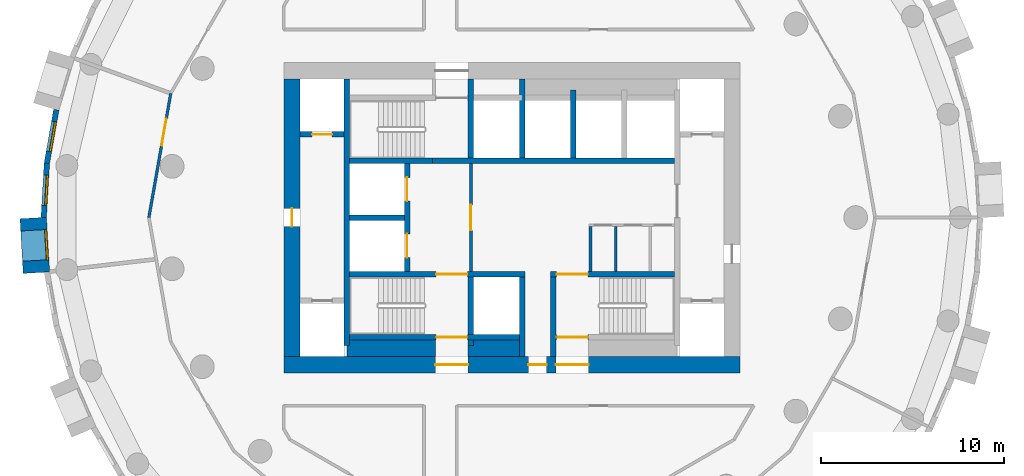
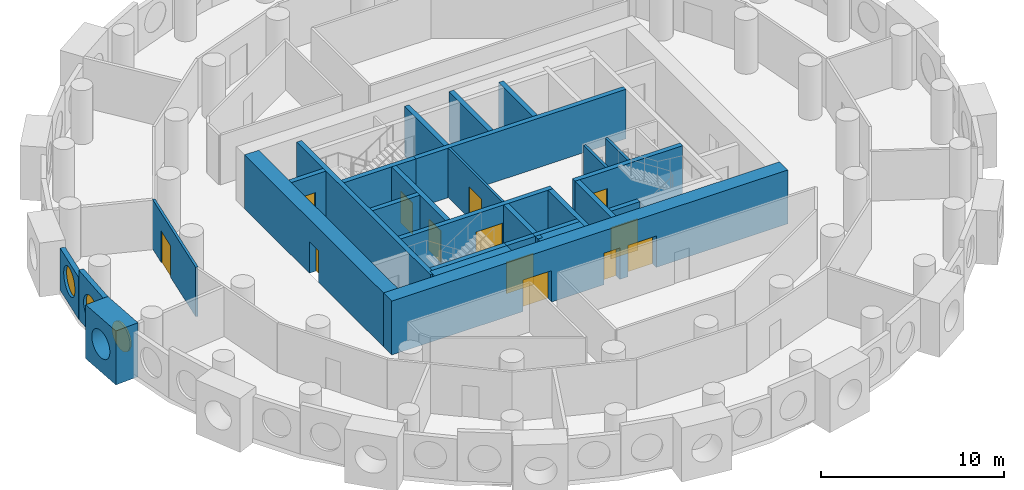
# One storey, part 3 of 9: 29 walls, 13 doors, 3 windows, 16 openings.
"""IFC4 building model written with IfcOpenShell, lengths in metres."""

from ifc_helpers import new_model, si_unit, direction, frame, frame_2d, origin, origin_2d, place, context, subcontext, project, spatial, rectangle, circle, extrude, material, layer, layer_set, type_object, element, fill, save


model = new_model("IFC4")

# Units and contexts
model_context = context("Model", 3, precision=1e-05, world=origin(), true_north=direction((0.0, 1.0)))
body_context = subcontext(model_context, "Body", "Model", "MODEL_VIEW")
ifc_project = project(units=[si_unit("LENGTHUNIT", "METRE"), si_unit("AREAUNIT", "SQUARE_METRE"), si_unit("VOLUMEUNIT", "CUBIC_METRE"), si_unit("PLANEANGLEUNIT", "RADIAN"), si_unit("MASSUNIT", "GRAM", prefix="KILO")], contexts=[model_context])

# Site, building, storey
site_placement = place(None, origin())
site = spatial("IfcSite", under=ifc_project, at=site_placement, CompositionType="ELEMENT")
building_placement = place(site_placement, origin())
building = spatial("IfcBuilding", under=site, at=building_placement, Name="Tracery Tower", CompositionType="ELEMENT")
storey_placement = place(building_placement, frame((0.0, 0.0, 154.800048828125)))
storey = spatial("IfcBuildingStorey", under=building, at=storey_placement, Name="L39", CompositionType="ELEMENT", Elevation=154.800048828125)

# Wall, opening, door
ifc_material_1 = material(Name="Plasterboard on steel studs", Category="steel")
ifc_layer_1 = layer(ifc_material_1, 0.14990234375)
ifc_layer_set_1 = layer_set([ifc_layer_1], Name="Core lobby partition 150")
wall_type_1 = type_object("IfcWallType", Name="Core lobby partition 150", PredefinedType="SOLIDWALL", material=ifc_layer_set_1)
wall_1_placement = place(storey_placement, frame((-2.25, -2.949951171875, 0.0), z_axis=(0.0, 0.0, 1.0), x_axis=(0.0, 1.0, 0.0)))
wall_1 = element("IfcWall", 1, at=wall_1_placement, inside=storey, type_object=wall_type_1, Name="L39 FF lobby E", PredefinedType="SOLIDWALL", context=body_context, shape_type="SweptSolid", body=[
    extrude(rectangle(XDim=5.89990234375, YDim=0.14990234375, at=frame_2d((2.949951171875, 0.0))), origin(), (0.0, 0.0, 1.0), 3.300048828125),
])
opening_1_placement = place(wall_1_placement, frame((2.25, 0.0, 0.0)))
opening_1 = element("IfcOpeningElement", 2, at=opening_1_placement, cuts=wall_1, Name="Opening KD8", PredefinedType="OPENING", context=body_context, shape_type="SweptSolid", body=[
    extrude(rectangle(XDim=1.39990234375, YDim=2.10009765625, at=frame_2d((0.699951171875, 1.050048828125))), frame((0.0, 0.074951171875, 0.0), z_axis=(0.0, -1.0, 0.0), x_axis=(1.0, 0.0, 0.0)), (0.0, 0.0, 1.0), 0.14990234375),
])
ifc_material_2 = material(Name="Steel fire door", Category="steel")
door_type_1 = type_object("IfcDoorType", Name="Core lobby door 1400 double", OperationType="NOTDEFINED", PredefinedType="DOOR", material=ifc_material_2)
door_1_placement = place(opening_1_placement, origin())
door_1 = element("IfcDoor", 3, at=door_1_placement, inside=storey, type_object=door_type_1, Name="Fire-fighting lobby door", OperationType="DOUBLE_DOOR_SINGLE_SWING", OverallHeight=2.10009765625, OverallWidth=1.39990234375, PredefinedType="DOOR", context=body_context, shape_type="SweptSolid", body=[
    extrude(rectangle(XDim=1.39990234375, YDim=2.10009765625, at=frame_2d((0.699951171875, 1.050048828125))), frame((0.0, 0.02490234375, 0.0), z_axis=(0.0, -1.0, 0.0), x_axis=(1.0, 0.0, 0.0)), (0.0, 0.0, 1.0), 0.050048828125),
])
fill(opening_1, door_1)

# Walls
ifc_material_3 = material(Name="Plasterboard on steel studs", Category="steel")
ifc_layer_2 = layer(ifc_material_3, 0.14990234375)
ifc_layer_set_2 = layer_set([ifc_layer_2], Name="Core room partition 150")
wall_type_2 = type_object("IfcWallType", Name="Core room partition 150", PredefinedType="SOLIDWALL", material=ifc_layer_set_2)
for number, where, z_axis, x_axis, name in (
    (4, (4.300048828125, -2.949951171875, 0.0), (0.0, 0.0, 1.0), (0.0, 1.0, 0.0), "L39 slot W"),
    (5, (5.675048828125, -2.949951171875, 0.0), (0.0, 0.0, 1.0), (0.0, 1.0, 0.0), "L39 slot sep 1"),
):
    element("IfcWall", number, at=place(storey_placement, frame(where, z_axis=z_axis, x_axis=x_axis)), inside=storey, type_object=wall_type_2, Name=name, PredefinedType="SOLIDWALL", context=body_context, shape_type="SweptSolid", body=[
        extrude(rectangle(XDim=2.449951171875, YDim=0.14990234375, at=frame_2d((1.22509765625, 0.0))), origin(), (0.0, 0.0, 1.0), 3.300048828125),
    ])
ifc_material_4 = material(Name="Concrete C50/60", Category="concrete")
ifc_layer_3 = layer(ifc_material_4, 0.89990234375)
ifc_layer_set_3 = layer_set([ifc_layer_3], Name="Core strip wall 900 C50")
wall_type_3 = type_object("IfcWallType", Name="Core strip wall 900 C50", PredefinedType="SOLIDWALL", material=ifc_layer_set_3)
wall_2_placement = place(storey_placement, frame((-9.050048828125, -7.14990234375, 0.0), z_axis=(0.0, 0.0, 1.0), x_axis=(1.0, 0.0, 0.0)))
element("IfcWall", 6, at=wall_2_placement, inside=storey, type_object=wall_type_3, Name="L39 F thick S W", PredefinedType="SOLIDWALL", context=body_context, shape_type="SweptSolid", body=[
    extrude(rectangle(XDim=4.85009765625, YDim=0.89990234375, at=frame_2d((2.425048828125, 0.0))), origin(), (0.0, 0.0, 1.0), 3.300048828125),
])
wall_3_placement = place(storey_placement, frame((-2.39990234375, -7.14990234375, 0.0), z_axis=(0.0, 0.0, 1.0), x_axis=(1.0, 0.0, 0.0)))
element("IfcWall", 7, at=wall_3_placement, inside=storey, type_object=wall_type_3, Name="L39 F thick S mid", PredefinedType="SOLIDWALL", context=body_context, shape_type="SweptSolid", body=[
    extrude(rectangle(XDim=2.7998046875, YDim=0.89990234375, at=frame_2d((1.39990234375, 0.0))), origin(), (0.0, 0.0, 1.0), 3.300048828125),
])

# Wall, openings, doors
ifc_material_5 = material(Name="Concrete C50/60", Category="concrete")
ifc_layer_4 = layer(ifc_material_5, 0.89990234375)
ifc_layer_set_4 = layer_set([ifc_layer_4], Name="Core wall 900 C50")
wall_type_4 = type_object("IfcWallType", Name="Core wall 900 C50", PredefinedType="SOLIDWALL", material=ifc_layer_set_4)
wall_4_placement = place(storey_placement, frame((-12.5, -8.050048828125, 0.0), z_axis=(0.0, 0.0, 1.0), x_axis=(1.0, 0.0, 0.0)))
wall_4 = element("IfcWall", 8, at=wall_4_placement, inside=storey, type_object=wall_type_4, Name="L39 outer S", PredefinedType="SOLIDWALL", context=body_context, shape_type="SweptSolid", body=[
    extrude(rectangle(XDim=25.0, YDim=0.89990234375, at=frame_2d((12.5, 0.0))), origin(), (0.0, 0.0, 1.0), 3.599853515625),
])
opening_2_placement = place(wall_4_placement, frame((13.39990234375, 0.0, 0.0)))
opening_2 = element("IfcOpeningElement", 9, at=opening_2_placement, cuts=wall_4, Name="Opening KD16", PredefinedType="OPENING", context=body_context, shape_type="SweptSolid", body=[
    extrude(rectangle(XDim=1.0, YDim=2.10009765625, at=frame_2d((0.5, 1.050048828125))), frame((0.0, 0.449951171875, 0.0), z_axis=(0.0, -1.0, 0.0), x_axis=(1.0, 0.0, 0.0)), (0.0, 0.0, 1.0), 0.89990234375),
])
opening_3_placement = place(wall_4_placement, frame((8.300048828125, 0.0, 0.0)))
opening_3 = element("IfcOpeningElement", 10, at=opening_3_placement, cuts=wall_4, Name="Opening KD13", PredefinedType="OPENING", context=body_context, shape_type="SweptSolid", body=[
    extrude(rectangle(XDim=1.800048828125, YDim=2.10009765625, at=frame_2d((0.89990234375, 1.050048828125))), frame((0.0, 0.449951171875, 0.0), z_axis=(0.0, -1.0, 0.0), x_axis=(1.0, 0.0, 0.0)), (0.0, 0.0, 1.0), 0.89990234375),
])
opening_4_placement = place(wall_4_placement, frame((14.89990234375, 0.0, 0.0)))
opening_4 = element("IfcOpeningElement", 11, at=opening_4_placement, cuts=wall_4, Name="Opening KD13", PredefinedType="OPENING", context=body_context, shape_type="SweptSolid", body=[
    extrude(rectangle(XDim=1.800048828125, YDim=2.10009765625, at=frame_2d((0.89990234375, 1.050048828125))), frame((0.0, 0.449951171875, 0.0), z_axis=(0.0, -1.0, 0.0), x_axis=(1.0, 0.0, 0.0)), (0.0, 0.0, 1.0), 0.89990234375),
])
ifc_material_6 = material(Name="Steel fire door", Category="steel")
door_type_2 = type_object("IfcDoorType", Name="Core exit door 1000", OperationType="NOTDEFINED", PredefinedType="DOOR", material=ifc_material_6)
door_2_placement = place(opening_2_placement, origin())
door_2 = element("IfcDoor", 12, at=door_2_placement, inside=storey, type_object=door_type_2, Name="Core exit door", OperationType="SINGLE_SWING_LEFT", OverallHeight=2.10009765625, OverallWidth=1.0, PredefinedType="DOOR", context=body_context, shape_type="SweptSolid", body=[
    extrude(rectangle(XDim=1.0, YDim=2.10009765625, at=frame_2d((0.5, 1.050048828125))), frame((0.0, 0.02490234375, 0.0), z_axis=(0.0, -1.0, 0.0), x_axis=(1.0, 0.0, 0.0)), (0.0, 0.0, 1.0), 0.050048828125),
])
fill(opening_2, door_2)
ifc_material_7 = material(Name="Steel fire door", Category="steel")
door_type_3 = type_object("IfcDoorType", Name="Core exit door 1800 double", OperationType="NOTDEFINED", PredefinedType="DOOR", material=ifc_material_7)
door_3_placement = place(opening_3_placement, origin())
door_3 = element("IfcDoor", 13, at=door_3_placement, inside=storey, type_object=door_type_3, Name="Core exit door", OperationType="DOUBLE_DOOR_SINGLE_SWING", OverallHeight=2.10009765625, OverallWidth=1.800048828125, PredefinedType="DOOR", context=body_context, shape_type="SweptSolid", body=[
    extrude(rectangle(XDim=1.800048828125, YDim=2.10009765625, at=frame_2d((0.89990234375, 1.050048828125))), frame((0.0, 0.02490234375, 0.0), z_axis=(0.0, -1.0, 0.0), x_axis=(1.0, 0.0, 0.0)), (0.0, 0.0, 1.0), 0.050048828125),
])
fill(opening_3, door_3)
door_4_placement = place(opening_4_placement, origin())
door_4 = element("IfcDoor", 14, at=door_4_placement, inside=storey, type_object=door_type_3, Name="Core exit door", OperationType="DOUBLE_DOOR_SINGLE_SWING", OverallHeight=2.10009765625, OverallWidth=1.800048828125, PredefinedType="DOOR", context=body_context, shape_type="SweptSolid", body=[
    extrude(rectangle(XDim=1.800048828125, YDim=2.10009765625, at=frame_2d((0.89990234375, 1.050048828125))), frame((0.0, 0.02490234375, 0.0), z_axis=(0.0, -1.0, 0.0), x_axis=(1.0, 0.0, 0.0)), (0.0, 0.0, 1.0), 0.050048828125),
])
fill(opening_4, door_4)

# Wall, opening, door
wall_5_placement = place(storey_placement, frame((-12.050048828125, -7.60009765625, 0.0), z_axis=(0.0, 0.0, 1.0), x_axis=(0.0, 1.0, 0.0)))
wall_5 = element("IfcWall", 15, at=wall_5_placement, inside=storey, type_object=wall_type_4, Name="L39 outer W", PredefinedType="SOLIDWALL", context=body_context, shape_type="SweptSolid", body=[
    extrude(rectangle(XDim=15.2001953125, YDim=0.89990234375, at=frame_2d((7.60009765625, 0.0))), origin(), (0.0, 0.0, 1.0), 3.599853515625),
])
opening_5_placement = place(wall_5_placement, frame((7.10009765625, 0.0, 0.0)))
opening_5 = element("IfcOpeningElement", 16, at=opening_5_placement, cuts=wall_5, Name="Opening KD18", PredefinedType="OPENING", context=body_context, shape_type="SweptSolid", body=[
    extrude(rectangle(XDim=1.0, YDim=2.10009765625, at=frame_2d((0.5, 1.050048828125))), frame((0.0, 0.449951171875, 0.0), z_axis=(0.0, -1.0, 0.0), x_axis=(1.0, 0.0, 0.0)), (0.0, 0.0, 1.0), 0.89990234375),
])
door_5_placement = place(opening_5_placement, origin())
door_5 = element("IfcDoor", 17, at=door_5_placement, inside=storey, type_object=door_type_2, Name="Core exit door", OperationType="DOUBLE_DOOR_SINGLE_SWING", OverallHeight=2.10009765625, OverallWidth=1.0, PredefinedType="DOOR", context=body_context, shape_type="SweptSolid", body=[
    extrude(rectangle(XDim=1.0, YDim=2.10009765625, at=frame_2d((0.5, 1.050048828125))), frame((0.0, 0.02490234375, 0.0), z_axis=(0.0, -1.0, 0.0), x_axis=(1.0, 0.0, 0.0)), (0.0, 0.0, 1.0), 0.050048828125),
])
fill(opening_5, door_5)

# Wall, opening, window
ifc_material_8 = material(Name="Precast concrete C50/60", Category="concrete")
ifc_layer_5 = layer(ifc_material_8, 1.449951171875)
ifc_layer_set_5 = layer_set([ifc_layer_5], Name="Deep-set bay unit 3000 x 3600, slab edge 300")
wall_type_5 = type_object("IfcWallType", Name="Deep-set bay unit 3000 x 3600, slab edge 300", PredefinedType="ELEMENTEDWALL", material=ifc_layer_set_5)
wall_6_placement = place(storey_placement, frame((-26.221923828125, -0.024658203125, -0.300048828125), z_axis=(0.0, 0.0, 1.0), x_axis=(0.058106596105, -0.998310384344, 0.0)))
wall_6 = element("IfcWall", 18, at=wall_6_placement, inside=storey, type_object=wall_type_5, Name="Deep-set bay unit 28 at L39", PredefinedType="ELEMENTEDWALL", context=body_context, shape_type="SweptSolid", body=[
    extrude(rectangle(XDim=3.0, YDim=1.449951171875, at=frame_2d((1.5, 0.0))), origin(), (0.0, 0.0, 1.0), 3.60009765625),
])
opening_6_placement = place(wall_6_placement, frame((1.5, 0.0, 1.85009765625)))
opening_6 = element("IfcOpeningElement", 19, at=opening_6_placement, cuts=wall_6, Name="Opening WN1", PredefinedType="OPENING", context=body_context, shape_type="SweptSolid", body=[
    extrude(circle(Radius=0.9000244140625, at=origin_2d()), frame((0.0, 0.73486328125, 0.0), z_axis=(0.0, -1.0, 0.0), x_axis=(1.0, 0.0, 0.0)), (0.0, 0.0, 1.0), 1.469970703125),
])
ifc_material_9 = material(Name="Aluminium frame with tinted double glazing", Category="aluminium")
window_type = type_object("IfcWindowType", Name="Round window 1800", PartitioningType="SINGLE_PANEL", PredefinedType="WINDOW", material=ifc_material_9)
window_1_placement = place(opening_6_placement, origin())
window_1 = element("IfcWindow", 20, at=window_1_placement, inside=storey, type_object=window_type, Name="Round window 28 at L39", OverallHeight=1.800048828125, OverallWidth=1.800048828125, PartitioningType="SINGLE_PANEL", PredefinedType="WINDOW", context=body_context, shape_type="SweptSolid", body=[
    extrude(circle(Radius=0.9000244140625, at=origin_2d()), frame((0.0, 0.69482421875, 0.0), z_axis=(0.0, -1.0, 0.0), x_axis=(1.0, 0.0, 0.0)), (0.0, 0.0, 1.0), 0.10009765625),
])
fill(opening_6, window_1)

ifc_material_10 = material(Name="Precast concrete C50/60", Category="concrete")
ifc_layer_6 = layer(ifc_material_10, 0.300048828125)
ifc_layer_set_6 = layer_set([ifc_layer_6], Name="Facade panel 3000 x 2800")
wall_type_6 = type_object("IfcWallType", Name="Facade panel 3000 x 2800", PredefinedType="SOLIDWALL", material=ifc_layer_set_6)
wall_7_placement = place(storey_placement, frame((-24.957763671875, 5.9052734375, 0.0), z_axis=(0.0, 0.0, 1.0), x_axis=(-0.173686952598, -0.984800915159, 0.0)))
wall_7 = element("IfcWall", 21, at=wall_7_placement, inside=storey, type_object=wall_type_6, Name="Facade panel 26 at L39", PredefinedType="SOLIDWALL", context=body_context, shape_type="SweptSolid", body=[
    extrude(rectangle(XDim=2.972900390625, YDim=0.300048828125, at=frame_2d((1.486328125, 0.0))), origin(), (0.0, 0.0, 1.0), 2.800048828125),
])
opening_7_placement = place(wall_7_placement, frame((1.486328125, 0.0, 1.5498046875)))
opening_7 = element("IfcOpeningElement", 22, at=opening_7_placement, cuts=wall_7, Name="Opening WN1", PredefinedType="OPENING", context=body_context, shape_type="SweptSolid", body=[
    extrude(circle(Radius=0.9000244140625, at=origin_2d()), frame((0.0, 0.159912109375, 0.0), z_axis=(0.0, -1.0, 0.0), x_axis=(1.0, 0.0, 0.0)), (0.0, 0.0, 1.0), 0.320068359375),
])
window_2_placement = place(opening_7_placement, origin())
window_2 = element("IfcWindow", 23, at=window_2_placement, inside=storey, type_object=window_type, Name="Round window 26 at L39", OverallHeight=1.800048828125, OverallWidth=1.800048828125, PartitioningType="SINGLE_PANEL", PredefinedType="WINDOW", context=body_context, shape_type="SweptSolid", body=[
    extrude(circle(Radius=0.9000244140625, at=origin_2d()), frame((0.0, 0.1201171875, 0.0), z_axis=(0.0, -1.0, 0.0), x_axis=(1.0, 0.0, 0.0)), (0.0, 0.0, 1.0), 0.10009765625),
])
fill(opening_7, window_2)

ifc_material_11 = material(Name="Precast concrete C50/60", Category="concrete")
ifc_layer_7 = layer(ifc_material_11, 0.300048828125)
ifc_layer_set_7 = layer_set([ifc_layer_7], Name="Facade panel 3000 x 3300")
wall_type_7 = type_object("IfcWallType", Name="Facade panel 3000 x 3300", PredefinedType="SOLIDWALL", material=ifc_layer_set_7)
wall_8_placement = place(storey_placement, frame((-25.47412109375, 2.9775390625, 0.0), z_axis=(0.0, 0.0, 1.0), x_axis=(-0.058139540521, -0.998308466271, 0.0)))
wall_8 = element("IfcWall", 24, at=wall_8_placement, inside=storey, type_object=wall_type_7, Name="Facade panel 27 at L39", PredefinedType="SOLIDWALL", context=body_context, shape_type="SweptSolid", body=[
    extrude(rectangle(XDim=2.97314453125, YDim=0.300048828125, at=frame_2d((1.486572265625, 0.0))), origin(), (0.0, 0.0, 1.0), 3.300048828125),
])
opening_8_placement = place(wall_8_placement, frame((1.486328125, 0.0, 1.5498046875)))
opening_8 = element("IfcOpeningElement", 25, at=opening_8_placement, cuts=wall_8, Name="Opening WN1", PredefinedType="OPENING", context=body_context, shape_type="SweptSolid", body=[
    extrude(circle(Radius=0.9000244140625, at=origin_2d()), frame((0.0, 0.159912109375, 0.0), z_axis=(0.0, -1.0, 0.0), x_axis=(1.0, 0.0, 0.0)), (0.0, 0.0, 1.0), 0.320068359375),
])
window_3_placement = place(opening_8_placement, origin())
window_3 = element("IfcWindow", 26, at=window_3_placement, inside=storey, type_object=window_type, Name="Round window 27 at L39", OverallHeight=1.800048828125, OverallWidth=1.800048828125, PartitioningType="SINGLE_PANEL", PredefinedType="WINDOW", context=body_context, shape_type="SweptSolid", body=[
    extrude(circle(Radius=0.9000244140625, at=origin_2d()), frame((0.0, 0.1201171875, 0.0), z_axis=(0.0, -1.0, 0.0), x_axis=(1.0, 0.0, 0.0)), (0.0, 0.0, 1.0), 0.10009765625),
])
fill(opening_8, window_3)

# Wall, opening, door
ifc_material_12 = material(Name="Plasterboard on steel studs", Category="steel")
ifc_layer_8 = layer(ifc_material_12, 0.14990234375)
ifc_layer_set_8 = layer_set([ifc_layer_8], Name="Partition 150 corridor wall")
wall_type_8 = type_object("IfcWallType", Name="Partition 150 corridor wall", PredefinedType="PARTITIONING", material=ifc_layer_set_8)
wall_9_placement = place(storey_placement, frame((-19.887939453125, 0.0, 0.0), z_axis=(0.0, 0.0, 1.0), x_axis=(0.173728873845, 0.98479352069, 0.0)))
wall_9 = element("IfcWall", 27, at=wall_9_placement, inside=storey, type_object=wall_type_8, Name="Corridor wall RB3-028", PredefinedType="PARTITIONING", context=body_context, shape_type="SweptSolid", body=[
    extrude(rectangle(XDim=6.906982421875, YDim=0.14990234375, at=frame_2d((3.45361328125, 0.0))), origin(), (0.0, 0.0, 1.0), 3.300048828125),
])
opening_9_placement = place(wall_9_placement, frame((4.00390625, 0.0, 0.0)))
opening_9 = element("IfcOpeningElement", 28, at=opening_9_placement, cuts=wall_9, Name="Opening RB3-14", PredefinedType="OPENING", context=body_context, shape_type="SweptSolid", body=[
    extrude(rectangle(XDim=1.5, YDim=2.10009765625, at=frame_2d((0.75, 1.050048828125))), frame((0.0, 0.074951171875, 0.0), z_axis=(0.0, -1.0, 0.0), x_axis=(1.0, 0.0, 0.0)), (0.0, 0.0, 1.0), 0.14990234375),
])
ifc_material_13 = material(Name="Timber door leaf", Category="wood")
door_type_4 = type_object("IfcDoorType", Name="Door double kitchen 1500", OperationType="NOTDEFINED", PredefinedType="DOOR", material=ifc_material_13)
door_6_placement = place(opening_9_placement, origin())
door_6 = element("IfcDoor", 29, at=door_6_placement, inside=storey, type_object=door_type_4, Name="Double kitchen door RB3-14", OperationType="DOUBLE_DOOR_SINGLE_SWING", OverallHeight=2.10009765625, OverallWidth=1.5, PredefinedType="DOOR", context=body_context, shape_type="SweptSolid", body=[
    extrude(rectangle(XDim=1.5, YDim=2.10009765625, at=frame_2d((0.75, 1.050048828125))), frame((0.0, 0.02490234375, 0.0), z_axis=(0.0, -1.0, 0.0), x_axis=(1.0, 0.0, 0.0)), (0.0, 0.0, 1.0), 0.050048828125),
])
fill(opening_9, door_6)

# Wall
ifc_material_14 = material(Name="Concrete C50/60", Category="concrete")
ifc_layer_9 = layer(ifc_material_14, 0.300048828125)
ifc_layer_set_9 = layer_set([ifc_layer_9], Name="Shaft wall 300 C50")
wall_type_9 = type_object("IfcWallType", Name="Shaft wall 300 C50", PredefinedType="SOLIDWALL", material=ifc_layer_set_9)
wall_10_placement = place(storey_placement, frame((-8.89990234375, 0.0, 0.0), z_axis=(0.0, 0.0, 1.0), x_axis=(1.0, 0.0, 0.0)))
element("IfcWall", 30, at=wall_10_placement, inside=storey, type_object=wall_type_9, Name="L39 FF split", PredefinedType="SOLIDWALL", context=body_context, shape_type="SweptSolid", body=[
    extrude(rectangle(XDim=3.0, YDim=0.300048828125, at=frame_2d((1.5, 0.0))), origin(), (0.0, 0.0, 1.0), 3.300048828125),
])

# Wall, openings, doors
wall_11_placement = place(storey_placement, frame((-5.75, -2.949951171875, 0.0), z_axis=(0.0, 0.0, 1.0), x_axis=(0.0, 1.0, 0.0)))
wall_11 = element("IfcWall", 31, at=wall_11_placement, inside=storey, type_object=wall_type_9, Name="L39 FF doors", PredefinedType="SOLIDWALL", context=body_context, shape_type="SweptSolid", body=[
    extrude(rectangle(XDim=5.89990234375, YDim=0.300048828125, at=frame_2d((2.949951171875, 0.0))), origin(), (0.0, 0.0, 1.0), 3.300048828125),
])
opening_10_placement = place(wall_11_placement, frame((0.75, 0.0, 0.0)))
opening_10 = element("IfcOpeningElement", 32, at=opening_10_placement, cuts=wall_11, Name="Opening KD54", PredefinedType="OPENING", context=body_context, shape_type="SweptSolid", body=[
    extrude(rectangle(XDim=1.300048828125, YDim=2.10009765625, at=frame_2d((0.64990234375, 1.050048828125))), frame((0.0, 0.14990234375, 0.0), z_axis=(0.0, -1.0, 0.0), x_axis=(1.0, 0.0, 0.0)), (0.0, 0.0, 1.0), 0.300048828125),
])
opening_11_placement = place(wall_11_placement, frame((3.85009765625, 0.0, 0.0)))
opening_11 = element("IfcOpeningElement", 33, at=opening_11_placement, cuts=wall_11, Name="Opening KD55", PredefinedType="OPENING", context=body_context, shape_type="SweptSolid", body=[
    extrude(rectangle(XDim=1.300048828125, YDim=2.10009765625, at=frame_2d((0.64990234375, 1.050048828125))), frame((0.0, 0.14990234375, 0.0), z_axis=(0.0, -1.0, 0.0), x_axis=(1.0, 0.0, 0.0)), (0.0, 0.0, 1.0), 0.300048828125),
])
ifc_material_15 = material(Name="Steel fire door", Category="steel")
door_type_5 = type_object("IfcDoorType", Name="Landing door FF 1300", OperationType="NOTDEFINED", PredefinedType="DOOR", material=ifc_material_15)
door_7_placement = place(opening_10_placement, origin())
door_7 = element("IfcDoor", 34, at=door_7_placement, inside=storey, type_object=door_type_5, Name="Landing door FF1", OperationType="SLIDING_TO_LEFT", OverallHeight=2.10009765625, OverallWidth=1.300048828125, PredefinedType="DOOR", context=body_context, shape_type="SweptSolid", body=[
    extrude(rectangle(XDim=1.300048828125, YDim=2.10009765625, at=frame_2d((0.64990234375, 1.050048828125))), frame((0.0, 0.02490234375, 0.0), z_axis=(0.0, -1.0, 0.0), x_axis=(1.0, 0.0, 0.0)), (0.0, 0.0, 1.0), 0.050048828125),
])
fill(opening_10, door_7)
door_8_placement = place(opening_11_placement, origin())
door_8 = element("IfcDoor", 35, at=door_8_placement, inside=storey, type_object=door_type_5, Name="Landing door FF2", OperationType="SLIDING_TO_RIGHT", OverallHeight=2.10009765625, OverallWidth=1.300048828125, PredefinedType="DOOR", context=body_context, shape_type="SweptSolid", body=[
    extrude(rectangle(XDim=1.300048828125, YDim=2.10009765625, at=frame_2d((0.64990234375, 1.050048828125))), frame((0.0, 0.02490234375, 0.0), z_axis=(0.0, -1.0, 0.0), x_axis=(1.0, 0.0, 0.0)), (0.0, 0.0, 1.0), 0.050048828125),
])
fill(opening_11, door_8)

# Walls
for number, where, z_axis, x_axis, name in (
    (36, (0.550048828125, -7.60009765625, 0.0), (0.0, 0.0, 1.0), (0.0, 1.0, 0.0), "L39 OB2 E"),
    (37, (0.550048828125, 3.25, 0.0), (0.0, 0.0, 1.0), (0.0, 1.0, 0.0), "L39 HR sep 1"),
):
    element("IfcWall", number, at=place(storey_placement, frame(where, z_axis=z_axis, x_axis=x_axis)), inside=storey, type_object=wall_type_9, Name=name, PredefinedType="SOLIDWALL", context=body_context, shape_type="SweptSolid", body=[
        extrude(rectangle(XDim=4.35009765625, YDim=0.300048828125, at=frame_2d((2.175048828125, 0.0))), origin(), (0.0, 0.0, 1.0), 3.300048828125),
    ])
wall_12_placement = place(storey_placement, frame((3.35009765625, 3.25, 0.0), z_axis=(0.0, 0.0, 1.0), x_axis=(0.0, 1.0, 0.0)))
element("IfcWall", 38, at=wall_12_placement, inside=storey, type_object=wall_type_9, Name="L39 HR sep 2", PredefinedType="SOLIDWALL", context=body_context, shape_type="SweptSolid", body=[
    extrude(rectangle(XDim=3.75, YDim=0.300048828125, at=frame_2d((1.875, 0.0))), origin(), (0.0, 0.0, 1.0), 3.300048828125),
])

# Wall, opening, door
wall_13_placement = place(storey_placement, frame((-11.60009765625, 4.550048828125, 0.0), z_axis=(0.0, 0.0, 1.0), x_axis=(1.0, 0.0, 0.0)))
wall_13 = element("IfcWall", 39, at=wall_13_placement, inside=storey, type_object=wall_type_9, Name="L39 MR W +4.55", PredefinedType="SOLIDWALL", context=body_context, shape_type="SweptSolid", body=[
    extrude(rectangle(XDim=2.400146484375, YDim=0.300048828125, at=frame_2d((1.2001953125, 0.0))), origin(), (0.0, 0.0, 1.0), 3.300048828125),
])
opening_12_placement = place(wall_13_placement, frame((0.64990234375, 0.0, 0.0)))
opening_12 = element("IfcOpeningElement", 40, at=opening_12_placement, cuts=wall_13, Name="Opening KD49", PredefinedType="OPENING", context=body_context, shape_type="SweptSolid", body=[
    extrude(rectangle(XDim=1.10009765625, YDim=2.10009765625, at=frame_2d((0.550048828125, 1.050048828125))), frame((0.0, 0.14990234375, 0.0), z_axis=(0.0, -1.0, 0.0), x_axis=(1.0, 0.0, 0.0)), (0.0, 0.0, 1.0), 0.300048828125),
])
ifc_material_16 = material(Name="Steel fire door", Category="steel")
door_type_6 = type_object("IfcDoorType", Name="Landing door 1100", OperationType="NOTDEFINED", PredefinedType="DOOR", material=ifc_material_16)
door_9_placement = place(opening_12_placement, origin())
door_9 = element("IfcDoor", 41, at=door_9_placement, inside=storey, type_object=door_type_6, Name="Landing door MR2", OperationType="SLIDING_TO_LEFT", OverallHeight=2.10009765625, OverallWidth=1.10009765625, PredefinedType="DOOR", context=body_context, shape_type="SweptSolid", body=[
    extrude(rectangle(XDim=1.10009765625, YDim=2.10009765625, at=frame_2d((0.550048828125, 1.050048828125))), frame((0.0, 0.02490234375, 0.0), z_axis=(0.0, -1.0, 0.0), x_axis=(1.0, 0.0, 0.0)), (0.0, 0.0, 1.0), 0.050048828125),
])
fill(opening_12, door_9)

ifc_material_17 = material(Name="Concrete C50/60", Category="concrete")
ifc_layer_10 = layer(ifc_material_17, 0.300048828125)
ifc_layer_set_10 = layer_set([ifc_layer_10], Name="Stair wall 300 C50")
wall_type_10 = type_object("IfcWallType", Name="Stair wall 300 C50", PredefinedType="SOLIDWALL", material=ifc_layer_set_10)
wall_14_placement = place(storey_placement, frame((-8.89990234375, -3.10009765625, 0.0), z_axis=(0.0, 0.0, 1.0), x_axis=(1.0, 0.0, 0.0)))
wall_14 = element("IfcWall", 42, at=wall_14_placement, inside=storey, type_object=wall_type_10, Name="L39 row S", PredefinedType="SOLIDWALL", context=body_context, shape_type="SweptSolid", body=[
    extrude(rectangle(XDim=9.599853515625, YDim=0.300048828125, at=frame_2d((4.7998046875, 0.0))), origin(), (0.0, 0.0, 1.0), 3.300048828125),
])
opening_13_placement = place(wall_14_placement, frame((4.75, 0.0, 0.0)))
opening_13 = element("IfcOpeningElement", 43, at=opening_13_placement, cuts=wall_14, Name="Opening KD3", PredefinedType="OPENING", context=body_context, shape_type="SweptSolid", body=[
    extrude(rectangle(XDim=1.699951171875, YDim=2.10009765625, at=frame_2d((0.85009765625, 1.050048828125))), frame((0.0, 0.14990234375, 0.0), z_axis=(0.0, -1.0, 0.0), x_axis=(1.0, 0.0, 0.0)), (0.0, 0.0, 1.0), 0.300048828125),
])
ifc_material_18 = material(Name="Steel fire door", Category="steel")
door_type_7 = type_object("IfcDoorType", Name="Core stair door 1700 double", OperationType="NOTDEFINED", PredefinedType="DOOR", material=ifc_material_18)
door_10_placement = place(opening_13_placement, origin())
door_10 = element("IfcDoor", 44, at=door_10_placement, inside=storey, type_object=door_type_7, Name="Stair door ST1", OperationType="DOUBLE_DOOR_SINGLE_SWING", OverallHeight=2.10009765625, OverallWidth=1.699951171875, PredefinedType="DOOR", context=body_context, shape_type="SweptSolid", body=[
    extrude(rectangle(XDim=1.699951171875, YDim=2.10009765625, at=frame_2d((0.85009765625, 1.050048828125))), frame((0.0, 0.02490234375, 0.0), z_axis=(0.0, -1.0, 0.0), x_axis=(1.0, 0.0, 0.0)), (0.0, 0.0, 1.0), 0.050048828125),
])
fill(opening_13, door_10)

wall_15_placement = place(storey_placement, frame((2.10009765625, -3.10009765625, 0.0), z_axis=(0.0, 0.0, 1.0), x_axis=(1.0, 0.0, 0.0)))
wall_15 = element("IfcWall", 45, at=wall_15_placement, inside=storey, type_object=wall_type_10, Name="L39 row S E", PredefinedType="SOLIDWALL", context=body_context, shape_type="SweptSolid", body=[
    extrude(rectangle(XDim=6.7998046875, YDim=0.300048828125, at=frame_2d((3.39990234375, 0.0))), origin(), (0.0, 0.0, 1.0), 3.300048828125),
])
opening_14_placement = place(wall_15_placement, frame((0.35009765625, 0.0, 0.0)))
opening_14 = element("IfcOpeningElement", 46, at=opening_14_placement, cuts=wall_15, Name="Opening KD3", PredefinedType="OPENING", context=body_context, shape_type="SweptSolid", body=[
    extrude(rectangle(XDim=1.699951171875, YDim=2.10009765625, at=frame_2d((0.85009765625, 1.050048828125))), frame((0.0, 0.14990234375, 0.0), z_axis=(0.0, -1.0, 0.0), x_axis=(1.0, 0.0, 0.0)), (0.0, 0.0, 1.0), 0.300048828125),
])
door_11_placement = place(opening_14_placement, origin())
door_11 = element("IfcDoor", 47, at=door_11_placement, inside=storey, type_object=door_type_7, Name="Stair door ST2", OperationType="DOUBLE_DOOR_SINGLE_SWING", OverallHeight=2.10009765625, OverallWidth=1.699951171875, PredefinedType="DOOR", context=body_context, shape_type="SweptSolid", body=[
    extrude(rectangle(XDim=1.699951171875, YDim=2.10009765625, at=frame_2d((0.85009765625, 1.050048828125))), frame((0.0, 0.02490234375, 0.0), z_axis=(0.0, -1.0, 0.0), x_axis=(1.0, 0.0, 0.0)), (0.0, 0.0, 1.0), 0.050048828125),
])
fill(opening_14, door_11)

# Walls
wall_16_placement = place(storey_placement, frame((-8.89990234375, 3.10009765625, 0.0), z_axis=(0.0, 0.0, 1.0), x_axis=(1.0, 0.0, 0.0)))
element("IfcWall", 48, at=wall_16_placement, inside=storey, type_object=wall_type_10, Name="L39 row N W", PredefinedType="SOLIDWALL", context=body_context, shape_type="SweptSolid", body=[
    extrude(rectangle(XDim=4.5498046875, YDim=0.300048828125, at=frame_2d((2.27490234375, 0.0))), origin(), (0.0, 0.0, 1.0), 3.300048828125),
])
wall_17_placement = place(storey_placement, frame((-4.35009765625, 3.10009765625, 0.0), z_axis=(0.0, 0.0, 1.0), x_axis=(1.0, 0.0, 0.0)))
element("IfcWall", 49, at=wall_17_placement, inside=storey, type_object=wall_type_10, Name="L39 row N", PredefinedType="SOLIDWALL", context=body_context, shape_type="SweptSolid", body=[
    extrude(rectangle(XDim=13.25, YDim=0.300048828125, at=frame_2d((6.625, 0.0))), origin(), (0.0, 0.0, 1.0), 3.300048828125),
])
wall_18_placement = place(storey_placement, frame((-2.25, -7.0, 0.0), z_axis=(0.0, 0.0, 1.0), x_axis=(0.0, 1.0, 0.0)))
element("IfcWall", 50, at=wall_18_placement, inside=storey, type_object=wall_type_10, Name="L39 ST1 E", PredefinedType="SOLIDWALL", context=body_context, shape_type="SweptSolid", body=[
    extrude(rectangle(XDim=3.75, YDim=0.300048828125, at=frame_2d((1.875, 0.0))), origin(), (0.0, 0.0, 1.0), 3.300048828125),
])
for number, where, z_axis, x_axis, name in (
    (51, (-2.25, 3.25, 0.0), (0.0, 0.0, 1.0), (0.0, 1.0, 0.0), "L39 ST3 E"),
    (52, (2.25, -7.60009765625, 0.0), (0.0, 0.0, 1.0), (0.0, 1.0, 0.0), "L39 ST2 W"),
):
    element("IfcWall", number, at=place(storey_placement, frame(where, z_axis=z_axis, x_axis=x_axis)), inside=storey, type_object=wall_type_10, Name=name, PredefinedType="SOLIDWALL", context=body_context, shape_type="SweptSolid", body=[
        extrude(rectangle(XDim=4.35009765625, YDim=0.300048828125, at=frame_2d((2.175048828125, 0.0))), origin(), (0.0, 0.0, 1.0), 3.300048828125),
    ])
wall_19_placement = place(storey_placement, frame((-9.050048828125, -7.0, 0.0), z_axis=(0.0, 0.0, 1.0), x_axis=(0.0, 1.0, 0.0)))
element("IfcWall", 53, at=wall_19_placement, inside=storey, type_object=wall_type_10, Name="L39 F wall -9", PredefinedType="SOLIDWALL", context=body_context, shape_type="SweptSolid", body=[
    extrude(rectangle(XDim=14.60009765625, YDim=0.300048828125, at=frame_2d((7.300048828125, 0.0))), origin(), (0.0, 0.0, 1.0), 3.300048828125),
])
wall_20_placement = place(storey_placement, frame((-8.89990234375, -6.550048828125, 0.0), z_axis=(0.0, 0.0, 1.0), x_axis=(1.0, 0.0, 0.0)))
element("IfcWall", 54, at=wall_20_placement, inside=storey, type_object=wall_type_10, Name="L39 F stair strip S W", PredefinedType="SOLIDWALL", context=body_context, shape_type="SweptSolid", body=[
    extrude(rectangle(XDim=4.699951171875, YDim=0.300048828125, at=frame_2d((2.35009765625, 0.0))), origin(), (0.0, 0.0, 1.0), 3.300048828125),
])
wall_21_placement = place(storey_placement, frame((-2.39990234375, -6.550048828125, 0.0), z_axis=(0.0, 0.0, 1.0), x_axis=(1.0, 0.0, 0.0)))
element("IfcWall", 55, at=wall_21_placement, inside=storey, type_object=wall_type_10, Name="L39 F stair strip S mid", PredefinedType="SOLIDWALL", context=body_context, shape_type="SweptSolid", body=[
    extrude(rectangle(XDim=2.7998046875, YDim=0.300048828125, at=frame_2d((1.39990234375, 0.0))), origin(), (0.0, 0.0, 1.0), 3.300048828125),
])

# Wall, opening, door
wall_22_placement = place(storey_placement, frame((-4.199951171875, -6.550048828125, 0.0), z_axis=(0.0, 0.0, 1.0), x_axis=(1.0, 0.0, 0.0)))
wall_22 = element("IfcWall", 56, at=wall_22_placement, inside=storey, type_object=wall_type_10, Name="L39 F stair S W", PredefinedType="SOLIDWALL", context=body_context, shape_type="SweptSolid", body=[
    extrude(rectangle(XDim=1.800048828125, YDim=0.300048828125, at=frame_2d((0.89990234375, 0.0))), origin(), (0.0, 0.0, 1.0), 3.300048828125),
])
opening_15_placement = place(wall_22_placement, frame((0.050048828125, 0.0, 0.0)))
opening_15 = element("IfcOpeningElement", 57, at=opening_15_placement, cuts=wall_22, Name="Opening KD3", PredefinedType="OPENING", context=body_context, shape_type="SweptSolid", body=[
    extrude(rectangle(XDim=1.699951171875, YDim=2.10009765625, at=frame_2d((0.85009765625, 1.050048828125))), frame((0.0, 0.14990234375, 0.0), z_axis=(0.0, -1.0, 0.0), x_axis=(1.0, 0.0, 0.0)), (0.0, 0.0, 1.0), 0.300048828125),
])
door_12_placement = place(opening_15_placement, origin())
door_12 = element("IfcDoor", 58, at=door_12_placement, inside=storey, type_object=door_type_7, Name="Stair door vest", OperationType="DOUBLE_DOOR_SINGLE_SWING", OverallHeight=2.10009765625, OverallWidth=1.699951171875, PredefinedType="DOOR", context=body_context, shape_type="SweptSolid", body=[
    extrude(rectangle(XDim=1.699951171875, YDim=2.10009765625, at=frame_2d((0.85009765625, 1.050048828125))), frame((0.0, 0.02490234375, 0.0), z_axis=(0.0, -1.0, 0.0), x_axis=(1.0, 0.0, 0.0)), (0.0, 0.0, 1.0), 0.050048828125),
])
fill(opening_15, door_12)

wall_23_placement = place(storey_placement, frame((2.39990234375, -6.550048828125, 0.0), z_axis=(0.0, 0.0, 1.0), x_axis=(1.0, 0.0, 0.0)))
wall_23 = element("IfcWall", 59, at=wall_23_placement, inside=storey, type_object=wall_type_10, Name="L39 F stair S E", PredefinedType="SOLIDWALL", context=body_context, shape_type="SweptSolid", body=[
    extrude(rectangle(XDim=1.800048828125, YDim=0.300048828125, at=frame_2d((0.89990234375, 0.0))), origin(), (0.0, 0.0, 1.0), 3.300048828125),
])
opening_16_placement = place(wall_23_placement, frame((0.050048828125, 0.0, 0.0)))
opening_16 = element("IfcOpeningElement", 60, at=opening_16_placement, cuts=wall_23, Name="Opening KD3", PredefinedType="OPENING", context=body_context, shape_type="SweptSolid", body=[
    extrude(rectangle(XDim=1.699951171875, YDim=2.10009765625, at=frame_2d((0.85009765625, 1.050048828125))), frame((0.0, 0.14990234375, 0.0), z_axis=(0.0, -1.0, 0.0), x_axis=(1.0, 0.0, 0.0)), (0.0, 0.0, 1.0), 0.300048828125),
])
door_13_placement = place(opening_16_placement, origin())
door_13 = element("IfcDoor", 61, at=door_13_placement, inside=storey, type_object=door_type_7, Name="Stair door vest", OperationType="DOUBLE_DOOR_SINGLE_SWING", OverallHeight=2.10009765625, OverallWidth=1.699951171875, PredefinedType="DOOR", context=body_context, shape_type="SweptSolid", body=[
    extrude(rectangle(XDim=1.699951171875, YDim=2.10009765625, at=frame_2d((0.85009765625, 1.050048828125))), frame((0.0, 0.02490234375, 0.0), z_axis=(0.0, -1.0, 0.0), x_axis=(1.0, 0.0, 0.0)), (0.0, 0.0, 1.0), 0.050048828125),
])
fill(opening_16, door_13)

save(model, "model.ifc")
